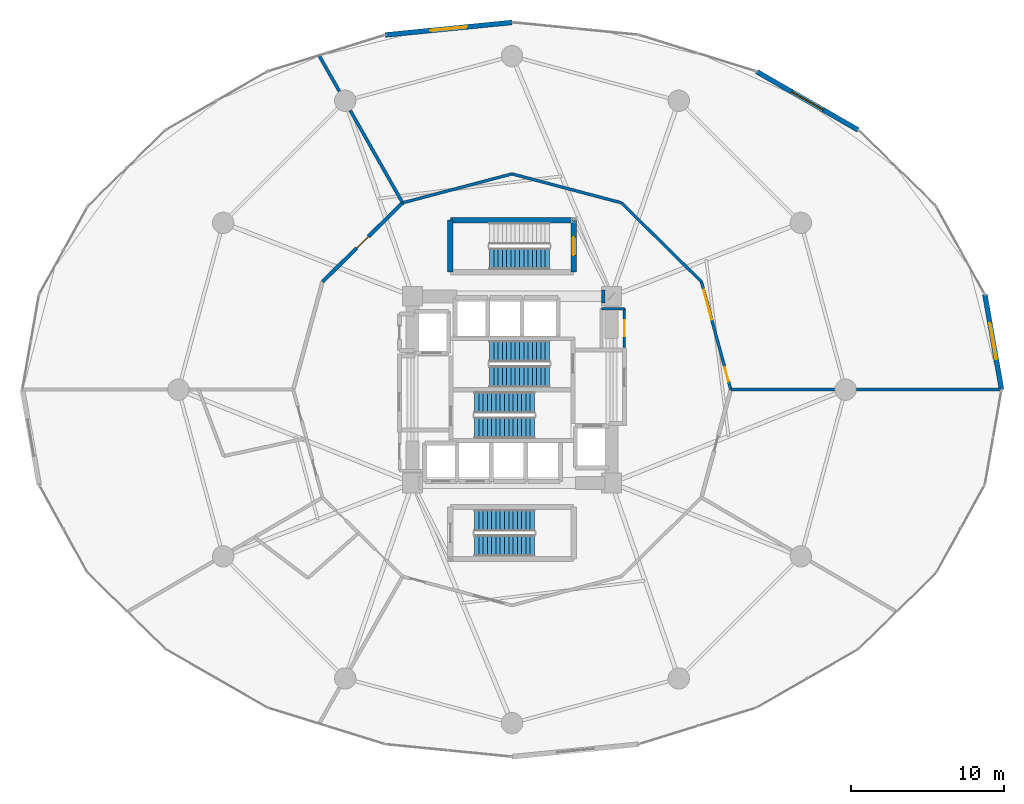
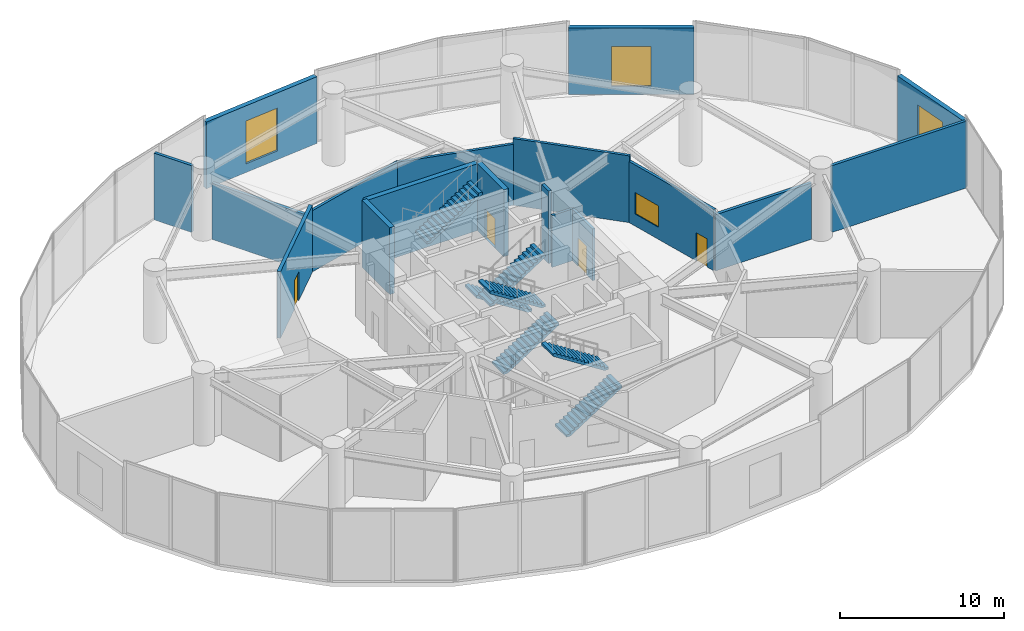
# One storey, part 25 of 29: 18 walls, 7 stair flights, 4 doors, 4 windows, 8 openings, 4 elements without a shape of their own.
"""IFC4 building model written with IfcOpenShell, lengths in metres."""

from ifc_helpers import new_model, si_unit, direction, frame, frame_2d, origin, place, context, subcontext, project, spatial, polyline, rectangle, outline, extrude, material, layer, layer_set, type_object, element, fill, aggregate, save


model = new_model("IFC4")

# Units and contexts
model_context = context("Model", 3, precision=1e-05, world=origin(), true_north=direction((0.0, 1.0)))
body_context = subcontext(model_context, "Body", "Model", "MODEL_VIEW")
ifc_project = project(units=[si_unit("LENGTHUNIT", "METRE"), si_unit("AREAUNIT", "SQUARE_METRE"), si_unit("VOLUMEUNIT", "CUBIC_METRE"), si_unit("PLANEANGLEUNIT", "RADIAN"), si_unit("MASSUNIT", "GRAM", prefix="KILO")], contexts=[model_context])

# Site, building, storey
site_placement = place(None, origin())
site = spatial("IfcSite", under=ifc_project, at=site_placement, CompositionType="ELEMENT")
building_placement = place(site_placement, origin())
building = spatial("IfcBuilding", under=site, at=building_placement, Name="Solvirekh Grand Hotel", CompositionType="ELEMENT")
storey_placement = place(building_placement, frame((0.0, 0.0, 7.199951171875)))
storey = spatial("IfcBuildingStorey", under=building, at=storey_placement, Name="L01", CompositionType="ELEMENT", Elevation=7.199951171875)

# Wall, opening, door
ifc_material_1 = material(Name="Concrete C50/60", Category="concrete")
ifc_layer_1 = layer(ifc_material_1, 0.35009765625)
ifc_layer_set_1 = layer_set([ifc_layer_1], Name="Concrete C50/60")
wall_type_1 = type_object("IfcWallType", Name="CoreDivWall_RC350", PredefinedType="SOLIDWALL", material=ifc_layer_set_1)
wall_1_placement = place(storey_placement, frame((4.02490234375, 7.675048828125, 0.0), z_axis=(0.0, 0.0, 1.0), x_axis=(0.0, 1.0, 0.0)))
wall_1 = element("IfcWall", 1, at=wall_1_placement, inside=storey, type_object=wall_type_1, Name="L01 feature stair ST-4 east landing wall", PredefinedType="SOLIDWALL", context=body_context, shape_type="SweptSolid", body=[
    extrude(rectangle(XDim=3.39990234375, YDim=0.35009765625, at=frame_2d((1.699951171875, 0.0))), origin(), (0.0, 0.0, 1.0), 4.97998046875),
])
opening_1_placement = place(wall_1_placement, frame((1.10009765625, 0.0, 0.0)))
opening_1 = element("IfcOpeningElement", 2, at=opening_1_placement, cuts=wall_1, Name="Opening D05", PredefinedType="OPENING", context=body_context, shape_type="SweptSolid", body=[
    extrude(rectangle(XDim=1.199951171875, YDim=2.199951171875, at=frame_2d((0.60009765625, 1.10009765625))), frame((0.0, 0.18505859375, 0.0), z_axis=(0.0, -1.0, 0.0), x_axis=(1.0, 0.0, 0.0)), (0.0, 0.0, 1.0), 0.3701171875),
])
ifc_material_2 = material(Name="Fire-Rated Steel Door Assembly", Category="steel")
door_type_1 = type_object("IfcDoorType", Name="Door_StairCore_1200X2200", OperationType="NOTDEFINED", PredefinedType="DOOR", material=ifc_material_2)
door_1_placement = place(opening_1_placement, origin())
door_1 = element("IfcDoor", 3, at=door_1_placement, inside=storey, type_object=door_type_1, Name="L01 feature stair ST-4 fire door", OperationType="SINGLE_SWING_RIGHT", OverallHeight=2.199951171875, OverallWidth=1.199951171875, PredefinedType="DOOR", context=body_context, shape_type="SweptSolid", body=[
    extrude(rectangle(XDim=1.199951171875, YDim=2.199951171875, at=frame_2d((0.60009765625, 1.10009765625))), frame((0.0, 0.02490234375, 0.0), z_axis=(0.0, -1.0, 0.0), x_axis=(1.0, 0.0, 0.0)), (0.0, 0.0, 1.0), 0.050048828125),
])
fill(opening_1, door_1)

# Walls
wall_2_placement = place(storey_placement, frame((4.02490234375, 11.074951171875, 0.0), z_axis=(0.0, 0.0, 1.0), x_axis=(-1.0, 0.0, 0.0)))
element("IfcWall", 4, at=wall_2_placement, inside=storey, type_object=wall_type_1, Name="L01 feature stair ST-4 N enclosure wall", PredefinedType="SOLIDWALL", context=body_context, shape_type="SweptSolid", body=[
    extrude(rectangle(XDim=8.0498046875, YDim=0.35009765625, at=frame_2d((4.02490234375, 0.0))), origin(), (0.0, 0.0, 1.0), 4.97998046875),
])
wall_3_placement = place(storey_placement, frame((-4.02490234375, 11.074951171875, 0.0), z_axis=(0.0, 0.0, 1.0), x_axis=(0.0, -1.0, 0.0)))
element("IfcWall", 5, at=wall_3_placement, inside=storey, type_object=wall_type_1, Name="L01 feature stair ST-4 W enclosure wall", PredefinedType="SOLIDWALL", context=body_context, shape_type="SweptSolid", body=[
    extrude(rectangle(XDim=3.39990234375, YDim=0.35009765625, at=frame_2d((1.699951171875, 0.0))), origin(), (0.0, 0.0, 1.0), 4.97998046875),
])
ifc_material_3 = material(Name="Concrete C60/75", Category="concrete")
ifc_layer_2 = layer(ifc_material_3, 0.85009765625)
ifc_layer_set_2 = layer_set([ifc_layer_2], Name="Concrete C60/75")
wall_type_2 = type_object("IfcWallType", Name="CoreWall_RC850", PredefinedType="SHEAR", material=ifc_layer_set_2)
wall_4_placement = place(storey_placement, frame((5.85009765625, 6.10009765625, 0.0), z_axis=(0.0, 0.0, 1.0), x_axis=(1.0, 0.0, 0.0)))
element("IfcWall", 6, at=wall_4_placement, inside=storey, type_object=wall_type_2, Name="L01 core corner shear wall NE-N", PredefinedType="SHEAR", context=body_context, shape_type="SweptSolid", body=[
    extrude(rectangle(XDim=0.224853515625, YDim=0.85009765625, at=frame_2d((0.1123046875, 0.0))), origin(), (0.0, 0.0, 1.0), 5.400146484375),
])

# Wall, opening, window
ifc_material_4 = material(Name="Precast concrete C45/55", Category="concrete")
ifc_layer_3 = layer(ifc_material_4, 0.320068359375)
ifc_layer_set_3 = layer_set([ifc_layer_3], Name="Precast concrete C45/55")
wall_type_3 = type_object("IfcWallType", Name="ExtLobbyWall_RC320", PredefinedType="SOLIDWALL", material=ifc_layer_set_3)
wall_5_placement = place(storey_placement, frame((30.909912109375, 6.2119140625, 0.0), z_axis=(0.0, 0.0, 1.0), x_axis=(0.172842303266, -0.984949510483, 0.0)))
wall_5 = element("IfcWall", 7, at=wall_5_placement, inside=storey, type_object=wall_type_3, Name="L01 exterior structural wall chord 1", PredefinedType="SOLIDWALL", context=body_context, shape_type="SweptSolid", body=[
    extrude(rectangle(XDim=6.306884765625, YDim=0.320068359375, at=frame_2d((3.1533203125, 0.0))), origin(), (0.0, 0.0, 1.0), 4.97998046875),
])
opening_2_placement = place(wall_5_placement, frame((1.89990234375, 0.0, 0.64990234375)))
opening_2 = element("IfcOpeningElement", 8, at=opening_2_placement, cuts=wall_5, Name="Opening W01", PredefinedType="OPENING", context=body_context, shape_type="SweptSolid", body=[
    extrude(rectangle(XDim=2.39990234375, YDim=3.199951171875, at=frame_2d((1.199951171875, 1.60009765625))), frame((0.0, 0.169921875, 0.0), z_axis=(0.0, -1.0, 0.0), x_axis=(1.0, 0.0, 0.0)), (0.0, 0.0, 1.0), 0.340087890625),
])
ifc_material_5 = material(Name="Low-E Tinted Bronze Laminated Glass", Category="aluminium")
window_type_1 = type_object("IfcWindowType", Name="Win_LobbyExt_2400X3200", PartitioningType="SINGLE_PANEL", PredefinedType="WINDOW", material=ifc_material_5)
window_1_placement = place(opening_2_placement, origin())
window_1 = element("IfcWindow", 9, at=window_1_placement, inside=storey, type_object=window_type_1, Name="L01 panoramic bronze-framed window 1", OverallHeight=3.199951171875, OverallWidth=2.39990234375, PartitioningType="SINGLE_PANEL", PredefinedType="WINDOW", context=body_context, shape_type="SweptSolid", body=[
    extrude(rectangle(XDim=2.39990234375, YDim=3.199951171875, at=frame_2d((1.199951171875, 1.60009765625))), frame((0.0, 0.030029296875, 0.0), z_axis=(0.0, -1.0, 0.0), x_axis=(1.0, 0.0, 0.0)), (0.0, 0.0, 1.0), 0.06005859375),
])
fill(opening_2, window_1)

wall_6_placement = place(storey_placement, frame((16.0, 20.784912109375, 0.0), z_axis=(0.0, 0.0, 1.0), x_axis=(0.866710306232, -0.498811833332, 0.0)))
wall_6 = element("IfcWall", 10, at=wall_6_placement, inside=storey, type_object=wall_type_3, Name="L01 exterior structural wall chord 4", PredefinedType="SOLIDWALL", context=body_context, shape_type="SweptSolid", body=[
    extrude(rectangle(XDim=7.64599609375, YDim=0.320068359375, at=frame_2d((3.822998046875, 0.0))), origin(), (0.0, 0.0, 1.0), 4.97998046875),
])
opening_3_placement = place(wall_6_placement, frame((2.623046875, 0.0, 0.60009765625)))
opening_3 = element("IfcOpeningElement", 11, at=opening_3_placement, cuts=wall_6, Name="Opening SK01", PredefinedType="OPENING", context=body_context, shape_type="SweptSolid", body=[
    extrude(rectangle(XDim=2.39990234375, YDim=3.0, at=frame_2d((1.199951171875, 1.5))), frame((0.0, 0.169921875, 0.0), z_axis=(0.0, -1.0, 0.0), x_axis=(1.0, 0.0, 0.0)), (0.0, 0.0, 1.0), 0.340087890625),
])
ifc_material_6 = material(Name="Champagne Low-Iron Crown Laminated Glass", Category="glass")
window_type_2 = type_object("IfcWindowType", Name="Skylight_Podium_2400X3000", PartitioningType="SINGLE_PANEL", PredefinedType="SKYLIGHT", material=ifc_material_6)
window_2_placement = place(opening_3_placement, origin())
window_2 = element("IfcWindow", 12, at=window_2_placement, inside=storey, type_object=window_type_2, Name="L01 high-level clerestory skylight 4", OverallHeight=3.0, OverallWidth=2.39990234375, PartitioningType="SINGLE_PANEL", PredefinedType="SKYLIGHT", context=body_context, shape_type="SweptSolid", body=[
    extrude(rectangle(XDim=2.39990234375, YDim=3.0, at=frame_2d((1.199951171875, 1.5))), frame((0.0, 0.030029296875, 0.0), z_axis=(0.0, -1.0, 0.0), x_axis=(1.0, 0.0, 0.0)), (0.0, 0.0, 1.0), 0.06005859375),
])
fill(opening_3, window_2)

wall_7_placement = place(storey_placement, frame((-8.281982421875, 23.181884765625, 0.0), z_axis=(0.0, 0.0, 1.0), x_axis=(0.995156424186, 0.098304076215, 0.0)))
wall_7 = element("IfcWall", 13, at=wall_7_placement, inside=storey, type_object=wall_type_3, Name="L01 exterior structural wall chord 7", PredefinedType="SOLIDWALL", context=body_context, shape_type="SweptSolid", body=[
    extrude(rectangle(XDim=8.322265625, YDim=0.320068359375, at=frame_2d((4.1611328125, 0.0))), origin(), (0.0, 0.0, 1.0), 4.97998046875),
])
opening_4_placement = place(wall_7_placement, frame((2.9609375, 0.0, 0.64990234375)))
opening_4 = element("IfcOpeningElement", 14, at=opening_4_placement, cuts=wall_7, Name="Opening W01", PredefinedType="OPENING", context=body_context, shape_type="SweptSolid", body=[
    extrude(rectangle(XDim=2.39990234375, YDim=3.199951171875, at=frame_2d((1.199951171875, 1.60009765625))), frame((0.0, 0.169921875, 0.0), z_axis=(0.0, -1.0, 0.0), x_axis=(1.0, 0.0, 0.0)), (0.0, 0.0, 1.0), 0.340087890625),
])
window_3_placement = place(opening_4_placement, origin())
window_3 = element("IfcWindow", 15, at=window_3_placement, inside=storey, type_object=window_type_1, Name="L01 panoramic bronze-framed window 7", OverallHeight=3.199951171875, OverallWidth=2.39990234375, PartitioningType="SINGLE_PANEL", PredefinedType="WINDOW", context=body_context, shape_type="SweptSolid", body=[
    extrude(rectangle(XDim=2.39990234375, YDim=3.199951171875, at=frame_2d((1.199951171875, 1.60009765625))), frame((0.0, 0.030029296875, 0.0), z_axis=(0.0, -1.0, 0.0), x_axis=(1.0, 0.0, 0.0)), (0.0, 0.0, 1.0), 0.06005859375),
])
fill(opening_4, window_3)

# Wall, opening, door
ifc_material_7 = material(Name="Acoustic Gypsum Partition Assembly")
ifc_layer_4 = layer(ifc_material_7, 0.1650390625)
ifc_layer_set_4 = layer_set([ifc_layer_4], Name="Acoustic Gypsum Partition Assembly")
wall_type_4 = type_object("IfcWallType", Name="Part_BOH_165", PredefinedType="PARTITIONING", material=ifc_layer_set_4)
wall_8_placement = place(storey_placement, frame((7.35009765625, 2.75, 0.0), z_axis=(0.0, 0.0, 1.0), x_axis=(0.0, 1.0, 0.0)))
wall_8 = element("IfcWall", 16, at=wall_8_placement, inside=storey, type_object=wall_type_4, Name="L01 L01 Telecom Distribution Room wall 2", PredefinedType="PARTITIONING", context=body_context, shape_type="SweptSolid", body=[
    extrude(rectangle(XDim=2.550048828125, YDim=0.1650390625, at=frame_2d((1.27490234375, 0.0))), origin(), (0.0, 0.0, 1.0), 3.864990234375),
])
opening_5_placement = place(wall_8_placement, frame((0.75, 0.0, 0.0)))
opening_5 = element("IfcOpeningElement", 17, at=opening_5_placement, cuts=wall_8, Name="Opening D12", PredefinedType="OPENING", context=body_context, shape_type="SweptSolid", body=[
    extrude(rectangle(XDim=1.050048828125, YDim=2.14990234375, at=frame_2d((0.52490234375, 1.074951171875))), frame((0.0, 0.092529296875, 0.0), z_axis=(0.0, -1.0, 0.0), x_axis=(1.0, 0.0, 0.0)), (0.0, 0.0, 1.0), 0.18505859375),
])
door_type_2 = type_object("IfcDoorType", Name="Door_PlantBOH_1050X2150", OperationType="NOTDEFINED", PredefinedType="DOOR", material=ifc_material_2)
door_2_placement = place(opening_5_placement, origin())
door_2 = element("IfcDoor", 18, at=door_2_placement, inside=storey, type_object=door_type_2, Name="L01 L01 Telecom Distribution Room door", OperationType="SINGLE_SWING_LEFT", OverallHeight=2.14990234375, OverallWidth=1.050048828125, PredefinedType="DOOR", context=body_context, shape_type="SweptSolid", body=[
    extrude(rectangle(XDim=1.050048828125, YDim=2.14990234375, at=frame_2d((0.52490234375, 1.074951171875))), frame((0.0, 0.02490234375, 0.0), z_axis=(0.0, -1.0, 0.0), x_axis=(1.0, 0.0, 0.0)), (0.0, 0.0, 1.0), 0.050048828125),
])
fill(opening_5, door_2)

# Wall
wall_9_placement = place(storey_placement, frame((7.35009765625, 5.300048828125, 0.0), z_axis=(0.0, 0.0, 1.0), x_axis=(-1.0, 0.0, 0.0)))
element("IfcWall", 19, at=wall_9_placement, inside=storey, type_object=wall_type_4, Name="L01 L01 Telecom Distribution Room wall 3", PredefinedType="PARTITIONING", context=body_context, shape_type="SweptSolid", body=[
    extrude(rectangle(XDim=1.5, YDim=0.1650390625, at=frame_2d((0.75, 0.0))), origin(), (0.0, 0.0, 1.0), 3.864990234375),
])

# Wall, opening, door
ifc_layer_5 = layer(ifc_material_7, 0.239990234375)
ifc_layer_set_5 = layer_set([ifc_layer_5], Name="Acoustic Gypsum Partition Assembly")
wall_type_5 = type_object("IfcWallType", Name="Part_Corridor_240", PredefinedType="PARTITIONING", material=ifc_layer_set_5)
wall_10_placement = place(storey_placement, frame((-7.14990234375, 12.2109375, 0.0), z_axis=(0.0, 0.0, 1.0), x_axis=(-0.712071304345, -0.702107155303, 0.0)))
wall_10 = element("IfcWall", 20, at=wall_10_placement, inside=storey, type_object=wall_type_5, Name="L01 Main Show Kitchen & Pastry Pantry corridor wall", PredefinedType="PARTITIONING", context=body_context, shape_type="SweptSolid", body=[
    extrude(rectangle(XDim=7.3505859375, YDim=0.239990234375, at=frame_2d((3.67529296875, 0.0))), origin(), (0.0, 0.0, 1.0), 4.97998046875),
])
opening_6_placement = place(wall_10_placement, frame((3.14990234375, 0.0, 0.0)))
opening_6 = element("IfcOpeningElement", 21, at=opening_6_placement, cuts=wall_10, Name="Opening D12", PredefinedType="OPENING", context=body_context, shape_type="SweptSolid", body=[
    extrude(rectangle(XDim=1.050048828125, YDim=2.14990234375, at=frame_2d((0.52490234375, 1.074951171875))), frame((0.0, 0.1298828125, 0.0), z_axis=(0.0, -1.0, 0.0), x_axis=(1.0, 0.0, 0.0)), (0.0, 0.0, 1.0), 0.260009765625),
])
door_3_placement = place(opening_6_placement, origin())
door_3 = element("IfcDoor", 22, at=door_3_placement, inside=storey, type_object=door_type_2, Name="L01 Main Show Kitchen & Pastry Pantry entrance door", OperationType="SINGLE_SWING_LEFT", OverallHeight=2.14990234375, OverallWidth=1.050048828125, PredefinedType="DOOR", context=body_context, shape_type="SweptSolid", body=[
    extrude(rectangle(XDim=1.050048828125, YDim=2.14990234375, at=frame_2d((0.52490234375, 1.074951171875))), frame((0.0, 0.02490234375, 0.0), z_axis=(0.0, -1.0, 0.0), x_axis=(1.0, 0.0, 0.0)), (0.0, 0.0, 1.0), 0.050048828125),
])
fill(opening_6, door_3)

# Wall, openings, door, window
ifc_layer_6 = layer(ifc_material_7, 0.18994140625)
ifc_layer_set_6 = layer_set([ifc_layer_6], Name="Acoustic Gypsum Partition Assembly")
wall_type_6 = type_object("IfcWallType", Name="Part_GuestDemise_190", PredefinedType="PARTITIONING", material=ifc_layer_set_6)
wall_11_placement = place(storey_placement, frame((14.300048828125, 0.0, 0.0), z_axis=(0.0, 0.0, 1.0), x_axis=(-0.262260528785, 0.964997106235, 0.0)))
wall_11 = element("IfcWall", 23, at=wall_11_placement, inside=storey, type_object=wall_type_6, Name="L01 All-Day Brasserie Restaurant corridor wall", PredefinedType="PARTITIONING", context=body_context, shape_type="SweptSolid", body=[
    extrude(rectangle(XDim=7.3056640625, YDim=0.18994140625, at=frame_2d((3.65283203125, 0.0))), origin(), (0.0, 0.0, 1.0), 4.55810546875),
])
opening_7_placement = place(wall_11_placement, frame((0.550048828125, 0.0, 0.0)))
opening_7 = element("IfcOpeningElement", 24, at=opening_7_placement, cuts=wall_11, Name="Opening D10", PredefinedType="OPENING", context=body_context, shape_type="SweptSolid", body=[
    extrude(rectangle(XDim=0.949951171875, YDim=2.10009765625, at=frame_2d((0.47509765625, 1.050048828125))), frame((0.0, 0.10498046875, 0.0), z_axis=(0.0, -1.0, 0.0), x_axis=(1.0, 0.0, 0.0)), (0.0, 0.0, 1.0), 0.2099609375),
])
opening_8_placement = place(wall_11_placement, frame((4.756103515625, 0.0, 0.89990234375)))
opening_8 = element("IfcOpeningElement", 25, at=opening_8_placement, cuts=wall_11, Name="Opening W03", PredefinedType="OPENING", context=body_context, shape_type="SweptSolid", body=[
    extrude(rectangle(XDim=2.0, YDim=1.60009765625, at=frame_2d((1.0, 0.800048828125))), frame((0.0, 0.10498046875, 0.0), z_axis=(0.0, -1.0, 0.0), x_axis=(1.0, 0.0, 0.0)), (0.0, 0.0, 1.0), 0.2099609375),
])
ifc_material_8 = material(Name="Anodized Bronze Aluminium 6063-T6", Category="aluminium")
door_type_3 = type_object("IfcDoorType", Name="Door_RoomInt_950X2100", OperationType="NOTDEFINED", PredefinedType="DOOR", material=ifc_material_8)
door_4_placement = place(opening_7_placement, origin())
door_4 = element("IfcDoor", 26, at=door_4_placement, inside=storey, type_object=door_type_3, Name="L01 All-Day Brasserie Restaurant entrance door", OperationType="SINGLE_SWING_RIGHT", OverallHeight=2.10009765625, OverallWidth=0.949951171875, PredefinedType="DOOR", context=body_context, shape_type="SweptSolid", body=[
    extrude(rectangle(XDim=0.949951171875, YDim=2.10009765625, at=frame_2d((0.47509765625, 1.050048828125))), frame((0.0, 0.02490234375, 0.0), z_axis=(0.0, -1.0, 0.0), x_axis=(1.0, 0.0, 0.0)), (0.0, 0.0, 1.0), 0.050048828125),
])
fill(opening_7, door_4)
ifc_material_9 = material(Name="Fire-Rated Ceramic Glazing", Category="glass")
window_type_3 = type_object("IfcWindowType", Name="Win_FoyerInt_2000X1600", PartitioningType="SINGLE_PANEL", PredefinedType="WINDOW", material=ifc_material_9)
window_4_placement = place(opening_8_placement, origin())
window_4 = element("IfcWindow", 27, at=window_4_placement, inside=storey, type_object=window_type_3, Name="L01 All-Day Brasserie Restaurant interior glazed screen", OverallHeight=1.60009765625, OverallWidth=2.0, PartitioningType="SINGLE_PANEL", PredefinedType="WINDOW", context=body_context, shape_type="SweptSolid", body=[
    extrude(rectangle(XDim=2.0, YDim=1.60009765625, at=frame_2d((1.0, 0.800048828125))), frame((0.0, 0.030029296875, 0.0), z_axis=(0.0, -1.0, 0.0), x_axis=(1.0, 0.0, 0.0)), (0.0, 0.0, 1.0), 0.06005859375),
])
fill(opening_8, window_4)

# Walls
wall_12_placement = place(storey_placement, frame((12.384033203125, 7.050048828125, 0.0), z_axis=(0.0, 0.0, 1.0), x_axis=(-0.712071304345, 0.702107155303, 0.0)))
element("IfcWall", 28, at=wall_12_placement, inside=storey, type_object=wall_type_6, Name="L01 All-Day Brasserie Restaurant corridor wall 2", PredefinedType="PARTITIONING", context=body_context, shape_type="SweptSolid", body=[
    extrude(rectangle(XDim=7.3505859375, YDim=0.18994140625, at=frame_2d((3.67529296875, 0.0))), origin(), (0.0, 0.0, 1.0), 4.97998046875),
])
for number, where, z_axis, x_axis, name in (
    (29, (7.14990234375, 12.2109375, 0.0), (0.0, 0.0, 1.0), (-0.966820901533, 0.255455170937, 0.0), "L01 All-Day Brasserie Restaurant corridor wall 3"),
    (30, (0.0, 14.10009765625, 0.0), (0.0, 0.0, 1.0), (-0.966820901533, -0.255455170937, 0.0), "L01 All-Day Brasserie Restaurant corridor wall 4"),
):
    element("IfcWall", number, at=place(storey_placement, frame(where, z_axis=z_axis, x_axis=x_axis)), inside=storey, type_object=wall_type_6, Name=name, PredefinedType="PARTITIONING", context=body_context, shape_type="SweptSolid", body=[
        extrude(rectangle(XDim=7.395263671875, YDim=0.18994140625, at=frame_2d((3.69775390625, 0.0))), origin(), (0.0, 0.0, 1.0), 4.55810546875),
    ])
ifc_layer_7 = layer(ifc_material_7, 0.2099609375)
ifc_layer_set_7 = layer_set([ifc_layer_7], Name="Acoustic Gypsum Partition Assembly")
wall_type_7 = type_object("IfcWallType", Name="Part_SuiteDemise_210", PredefinedType="PARTITIONING", material=ifc_layer_set_7)
wall_13_placement = place(storey_placement, frame((14.300048828125, 0.0, 0.0), z_axis=(0.0, 0.0, 1.0), x_axis=(1.0, 0.0, 0.0)))
element("IfcWall", 31, at=wall_13_placement, inside=storey, type_object=wall_type_7, Name="L01 radial demising wall 1 (A)", PredefinedType="PARTITIONING", context=body_context, shape_type="SweptSolid", body=[
    extrude(rectangle(XDim=6.780029296875, YDim=0.2099609375, at=frame_2d((3.39013671875, 0.0))), origin(), (0.0, 0.0, 1.0), 4.191162109375),
])
wall_14_placement = place(storey_placement, frame((22.52001953125, 0.0, 0.0), z_axis=(0.0, 0.0, 1.0), x_axis=(1.0, 0.0, 0.0)))
element("IfcWall", 32, at=wall_14_placement, inside=storey, type_object=wall_type_7, Name="L01 radial demising wall 1 (B)", PredefinedType="PARTITIONING", context=body_context, shape_type="SweptSolid", body=[
    extrude(rectangle(XDim=9.43994140625, YDim=0.2099609375, at=frame_2d((4.719970703125, 0.0))), origin(), (0.0, 0.0, 1.0), 4.97998046875),
])
wall_15_placement = place(storey_placement, frame((-7.14990234375, 12.2109375, 0.0), z_axis=(0.0, 0.0, 1.0), x_axis=(-0.493203653226, 0.869913878752, 0.0)))
element("IfcWall", 33, at=wall_15_placement, inside=storey, type_object=wall_type_7, Name="L01 radial demising wall 5 (A)", PredefinedType="PARTITIONING", context=body_context, shape_type="SweptSolid", body=[
    extrude(rectangle(XDim=6.9306640625, YDim=0.2099609375, at=frame_2d((3.46533203125, 0.0))), origin(), (0.0, 0.0, 1.0), 4.191162109375),
])
wall_16_placement = place(storey_placement, frame((-11.277099609375, 19.491943359375, 0.0), z_axis=(0.0, 0.0, 1.0), x_axis=(-0.493197981082, 0.869917094588, 0.0)))
element("IfcWall", 34, at=wall_16_placement, inside=storey, type_object=wall_type_7, Name="L01 radial demising wall 5 (B)", PredefinedType="PARTITIONING", context=body_context, shape_type="SweptSolid", body=[
    extrude(rectangle(XDim=2.65771484375, YDim=0.2099609375, at=frame_2d((1.328857421875, 0.0))), origin(), (0.0, 0.0, 1.0), 4.97998046875),
])

# Stair, stair flights
ifc_material_10 = material(Name="Concrete C40/50", Category="concrete")
stair_type_1 = type_object("IfcStairType", Name="Stair_Core_1450", PredefinedType="HALF_TURN_STAIR", material=ifc_material_10)
stair_1_placement = place(storey_placement, origin())
stair_1 = element("IfcStair", 35, at=stair_1_placement, inside=storey, type_object=stair_type_1, Name="L01 Enclosed exit stair ST-1", PredefinedType="HALF_TURN_STAIR")
stair_flight_type_1 = type_object("IfcStairFlightType", Name="Flight_Core_1450", PredefinedType="STRAIGHT", material=ifc_material_10)
stair_flight_1_placement = place(storey_placement, frame((-2.449951171875, -2.5, 0.0), z_axis=(0.0, 0.0, 1.0), x_axis=(1.0, 0.0, 0.0)))
stair_flight_1 = element("IfcStairFlight", 36, at=stair_flight_1_placement, type_object=stair_flight_type_1, Name="ST-1 flight 1", NumberOfRisers=15, NumberOfTreads=14, PredefinedType="STRAIGHT", RiserHeight=0.18, TreadLength=0.28, context=body_context, shape_type="SweptSolid", body=[
    extrude(outline(polyline([(0.0, 0.0), (0.0, 0.179931640625), (0.280029296875, 0.179931640625), (0.280029296875, 0.360107421875), (0.56005859375, 0.360107421875), (0.56005859375, 0.5400390625), (0.840087890625, 0.5400390625), (0.840087890625, 0.719970703125), (1.1201171875, 0.719970703125), (1.1201171875, 0.89990234375), (1.39990234375, 0.89990234375), (1.39990234375, 1.080078125), (1.679931640625, 1.080078125), (1.679931640625, 1.260009765625), (1.9599609375, 1.260009765625), (1.9599609375, 1.43994140625), (2.239990234375, 1.43994140625), (2.239990234375, 1.6201171875), (2.52001953125, 1.6201171875), (2.52001953125, 1.800048828125), (2.800048828125, 1.800048828125), (2.800048828125, 1.97998046875), (3.080078125, 1.97998046875), (3.080078125, 2.159912109375), (3.360107421875, 2.159912109375), (3.360107421875, 2.340087890625), (3.639892578125, 2.340087890625), (3.639892578125, 2.52001953125), (3.919921875, 2.52001953125), (3.919921875, 2.699951171875), (3.919921875, 2.341796875), (0.277099609375, 0.0), (0.0, 0.0)])), frame((0.0, 0.699951171875, 0.0), z_axis=(0.0, -1.0, 0.0), x_axis=(1.0, 0.0, 0.0)), (0.0, 0.0, 1.0), 1.39990234375),
])
stair_flight_2_placement = place(storey_placement, frame((1.469970703125, -0.85009765625, 2.699951171875), z_axis=(0.0, 0.0, 1.0), x_axis=(-1.0, 0.0, 0.0)))
stair_flight_2 = element("IfcStairFlight", 37, at=stair_flight_2_placement, type_object=stair_flight_type_1, Name="ST-1 flight 2", NumberOfRisers=15, NumberOfTreads=14, PredefinedType="STRAIGHT", RiserHeight=0.18, TreadLength=0.28, context=body_context, shape_type="SweptSolid", body=[
    extrude(outline(polyline([(0.0, 0.0), (0.0, 0.179931640625), (0.280029296875, 0.179931640625), (0.280029296875, 0.360107421875), (0.56005859375, 0.360107421875), (0.56005859375, 0.5400390625), (0.840087890625, 0.5400390625), (0.840087890625, 0.719970703125), (1.1201171875, 0.719970703125), (1.1201171875, 0.89990234375), (1.39990234375, 0.89990234375), (1.39990234375, 1.080078125), (1.679931640625, 1.080078125), (1.679931640625, 1.260009765625), (1.9599609375, 1.260009765625), (1.9599609375, 1.43994140625), (2.239990234375, 1.43994140625), (2.239990234375, 1.6201171875), (2.52001953125, 1.6201171875), (2.52001953125, 1.800048828125), (2.800048828125, 1.800048828125), (2.800048828125, 1.97998046875), (3.080078125, 1.97998046875), (3.080078125, 2.159912109375), (3.360107421875, 2.159912109375), (3.360107421875, 2.340087890625), (3.639892578125, 2.340087890625), (3.639892578125, 2.52001953125), (3.919921875, 2.52001953125), (3.919921875, 2.699951171875), (3.919921875, 2.341796875), (0.277099609375, 0.0), (0.0, 0.0)])), frame((0.0, 0.699951171875, 0.0), z_axis=(0.0, -1.0, 0.0), x_axis=(1.0, 0.0, 0.0)), (0.0, 0.0, 1.0), 1.39990234375),
])
aggregate(stair_1, [stair_flight_1, stair_flight_2])

stair_2_placement = place(storey_placement, origin())
stair_2 = element("IfcStair", 38, at=stair_2_placement, inside=storey, type_object=stair_type_1, Name="L01 Enclosed exit stair ST-2", PredefinedType="HALF_TURN_STAIR")
stair_flight_3_placement = place(storey_placement, frame((2.449951171875, 2.5, 0.0), z_axis=(0.0, 0.0, 1.0), x_axis=(-1.0, 0.0, 0.0)))
stair_flight_3 = element("IfcStairFlight", 39, at=stair_flight_3_placement, type_object=stair_flight_type_1, Name="ST-2 flight 1", NumberOfRisers=15, NumberOfTreads=14, PredefinedType="STRAIGHT", RiserHeight=0.18, TreadLength=0.28, context=body_context, shape_type="SweptSolid", body=[
    extrude(outline(polyline([(0.0, 0.0), (0.0, 0.179931640625), (0.280029296875, 0.179931640625), (0.280029296875, 0.360107421875), (0.56005859375, 0.360107421875), (0.56005859375, 0.5400390625), (0.840087890625, 0.5400390625), (0.840087890625, 0.719970703125), (1.1201171875, 0.719970703125), (1.1201171875, 0.89990234375), (1.39990234375, 0.89990234375), (1.39990234375, 1.080078125), (1.679931640625, 1.080078125), (1.679931640625, 1.260009765625), (1.9599609375, 1.260009765625), (1.9599609375, 1.43994140625), (2.239990234375, 1.43994140625), (2.239990234375, 1.6201171875), (2.52001953125, 1.6201171875), (2.52001953125, 1.800048828125), (2.800048828125, 1.800048828125), (2.800048828125, 1.97998046875), (3.080078125, 1.97998046875), (3.080078125, 2.159912109375), (3.360107421875, 2.159912109375), (3.360107421875, 2.340087890625), (3.639892578125, 2.340087890625), (3.639892578125, 2.52001953125), (3.919921875, 2.52001953125), (3.919921875, 2.699951171875), (3.919921875, 2.341796875), (0.277099609375, 0.0), (0.0, 0.0)])), frame((0.0, 0.699951171875, 0.0), z_axis=(0.0, -1.0, 0.0), x_axis=(1.0, 0.0, 0.0)), (0.0, 0.0, 1.0), 1.39990234375),
])
stair_flight_4_placement = place(storey_placement, frame((-1.469970703125, 0.85009765625, 2.699951171875), z_axis=(0.0, 0.0, 1.0), x_axis=(1.0, 0.0, 0.0)))
stair_flight_4 = element("IfcStairFlight", 40, at=stair_flight_4_placement, type_object=stair_flight_type_1, Name="ST-2 flight 2", NumberOfRisers=15, NumberOfTreads=14, PredefinedType="STRAIGHT", RiserHeight=0.18, TreadLength=0.28, context=body_context, shape_type="SweptSolid", body=[
    extrude(outline(polyline([(0.0, 0.0), (0.0, 0.179931640625), (0.280029296875, 0.179931640625), (0.280029296875, 0.360107421875), (0.56005859375, 0.360107421875), (0.56005859375, 0.5400390625), (0.840087890625, 0.5400390625), (0.840087890625, 0.719970703125), (1.1201171875, 0.719970703125), (1.1201171875, 0.89990234375), (1.39990234375, 0.89990234375), (1.39990234375, 1.080078125), (1.679931640625, 1.080078125), (1.679931640625, 1.260009765625), (1.9599609375, 1.260009765625), (1.9599609375, 1.43994140625), (2.239990234375, 1.43994140625), (2.239990234375, 1.6201171875), (2.52001953125, 1.6201171875), (2.52001953125, 1.800048828125), (2.800048828125, 1.800048828125), (2.800048828125, 1.97998046875), (3.080078125, 1.97998046875), (3.080078125, 2.159912109375), (3.360107421875, 2.159912109375), (3.360107421875, 2.340087890625), (3.639892578125, 2.340087890625), (3.639892578125, 2.52001953125), (3.919921875, 2.52001953125), (3.919921875, 2.699951171875), (3.919921875, 2.341796875), (0.277099609375, 0.0), (0.0, 0.0)])), frame((0.0, 0.699951171875, 0.0), z_axis=(0.0, -1.0, 0.0), x_axis=(1.0, 0.0, 0.0)), (0.0, 0.0, 1.0), 1.39990234375),
])
aggregate(stair_2, [stair_flight_3, stair_flight_4])

# Stair, stair flight
ifc_material_11 = material(Name="Steel S355", Category="steel")
stair_type_2 = type_object("IfcStairType", Name="Stair_Grand_2000", PredefinedType="STRAIGHT_RUN_STAIR", material=ifc_material_11)
stair_3_placement = place(storey_placement, origin())
stair_3 = element("IfcStair", 41, at=stair_3_placement, inside=storey, type_object=stair_type_2, Name="L01 Enclosed exit stair ST-4", PredefinedType="STRAIGHT_RUN_STAIR")
stair_flight_type_2 = type_object("IfcStairFlightType", Name="Flight_Grand_2000", PredefinedType="STRAIGHT", material=ifc_material_11)
stair_flight_5_placement = place(storey_placement, frame((-1.469970703125, 8.550048828125, 2.699951171875), z_axis=(0.0, 0.0, 1.0), x_axis=(1.0, 0.0, 0.0)))
stair_flight_5 = element("IfcStairFlight", 42, at=stair_flight_5_placement, type_object=stair_flight_type_2, Name="ST-4 flight 2", NumberOfRisers=15, NumberOfTreads=14, PredefinedType="STRAIGHT", RiserHeight=0.18, TreadLength=0.28, context=body_context, shape_type="SweptSolid", body=[
    extrude(outline(polyline([(0.0, 0.0), (0.0, 0.179931640625), (0.280029296875, 0.179931640625), (0.280029296875, 0.360107421875), (0.56005859375, 0.360107421875), (0.56005859375, 0.5400390625), (0.840087890625, 0.5400390625), (0.840087890625, 0.719970703125), (1.1201171875, 0.719970703125), (1.1201171875, 0.89990234375), (1.39990234375, 0.89990234375), (1.39990234375, 1.080078125), (1.679931640625, 1.080078125), (1.679931640625, 1.260009765625), (1.9599609375, 1.260009765625), (1.9599609375, 1.43994140625), (2.239990234375, 1.43994140625), (2.239990234375, 1.6201171875), (2.52001953125, 1.6201171875), (2.52001953125, 1.800048828125), (2.800048828125, 1.800048828125), (2.800048828125, 1.97998046875), (3.080078125, 1.97998046875), (3.080078125, 2.159912109375), (3.360107421875, 2.159912109375), (3.360107421875, 2.340087890625), (3.639892578125, 2.340087890625), (3.639892578125, 2.52001953125), (3.919921875, 2.52001953125), (3.919921875, 2.699951171875), (3.919921875, 2.341796875), (0.277099609375, 0.0), (0.0, 0.0)])), frame((0.0, 0.699951171875, 0.0), z_axis=(0.0, -1.0, 0.0), x_axis=(1.0, 0.0, 0.0)), (0.0, 0.0, 1.0), 1.39990234375),
])
aggregate(stair_3, [stair_flight_5])

# Stair, stair flights
stair_type_3 = type_object("IfcStairType", Name="Stair_Pod_1600", PredefinedType="HALF_TURN_STAIR", material=ifc_material_10)
stair_4_placement = place(storey_placement, origin())
stair_4 = element("IfcStair", 43, at=stair_4_placement, inside=storey, type_object=stair_type_3, Name="L01 Enclosed exit stair ST-3", PredefinedType="HALF_TURN_STAIR")
stair_flight_type_3 = type_object("IfcStairFlightType", Name="Flight_Pod_1600", PredefinedType="STRAIGHT", material=ifc_material_10)
stair_flight_6_placement = place(storey_placement, frame((-2.449951171875, -10.199951171875, 0.0), z_axis=(0.0, 0.0, 1.0), x_axis=(1.0, 0.0, 0.0)))
stair_flight_6 = element("IfcStairFlight", 44, at=stair_flight_6_placement, type_object=stair_flight_type_3, Name="ST-3 flight 1", NumberOfRisers=15, NumberOfTreads=14, PredefinedType="STRAIGHT", RiserHeight=0.18, TreadLength=0.28, context=body_context, shape_type="SweptSolid", body=[
    extrude(outline(polyline([(0.0, 0.0), (0.0, 0.179931640625), (0.280029296875, 0.179931640625), (0.280029296875, 0.360107421875), (0.56005859375, 0.360107421875), (0.56005859375, 0.5400390625), (0.840087890625, 0.5400390625), (0.840087890625, 0.719970703125), (1.1201171875, 0.719970703125), (1.1201171875, 0.89990234375), (1.39990234375, 0.89990234375), (1.39990234375, 1.080078125), (1.679931640625, 1.080078125), (1.679931640625, 1.260009765625), (1.9599609375, 1.260009765625), (1.9599609375, 1.43994140625), (2.239990234375, 1.43994140625), (2.239990234375, 1.6201171875), (2.52001953125, 1.6201171875), (2.52001953125, 1.800048828125), (2.800048828125, 1.800048828125), (2.800048828125, 1.97998046875), (3.080078125, 1.97998046875), (3.080078125, 2.159912109375), (3.360107421875, 2.159912109375), (3.360107421875, 2.340087890625), (3.639892578125, 2.340087890625), (3.639892578125, 2.52001953125), (3.919921875, 2.52001953125), (3.919921875, 2.699951171875), (3.919921875, 2.341796875), (0.277099609375, 0.0), (0.0, 0.0)])), frame((0.0, 0.699951171875, 0.0), z_axis=(0.0, -1.0, 0.0), x_axis=(1.0, 0.0, 0.0)), (0.0, 0.0, 1.0), 1.39990234375),
])
stair_flight_7_placement = place(storey_placement, frame((1.469970703125, -8.550048828125, 2.699951171875), z_axis=(0.0, 0.0, 1.0), x_axis=(-1.0, 0.0, 0.0)))
stair_flight_7 = element("IfcStairFlight", 45, at=stair_flight_7_placement, type_object=stair_flight_type_3, Name="ST-3 flight 2", NumberOfRisers=15, NumberOfTreads=14, PredefinedType="STRAIGHT", RiserHeight=0.18, TreadLength=0.28, context=body_context, shape_type="SweptSolid", body=[
    extrude(outline(polyline([(0.0, 0.0), (0.0, 0.179931640625), (0.280029296875, 0.179931640625), (0.280029296875, 0.360107421875), (0.56005859375, 0.360107421875), (0.56005859375, 0.5400390625), (0.840087890625, 0.5400390625), (0.840087890625, 0.719970703125), (1.1201171875, 0.719970703125), (1.1201171875, 0.89990234375), (1.39990234375, 0.89990234375), (1.39990234375, 1.080078125), (1.679931640625, 1.080078125), (1.679931640625, 1.260009765625), (1.9599609375, 1.260009765625), (1.9599609375, 1.43994140625), (2.239990234375, 1.43994140625), (2.239990234375, 1.6201171875), (2.52001953125, 1.6201171875), (2.52001953125, 1.800048828125), (2.800048828125, 1.800048828125), (2.800048828125, 1.97998046875), (3.080078125, 1.97998046875), (3.080078125, 2.159912109375), (3.360107421875, 2.159912109375), (3.360107421875, 2.340087890625), (3.639892578125, 2.340087890625), (3.639892578125, 2.52001953125), (3.919921875, 2.52001953125), (3.919921875, 2.699951171875), (3.919921875, 2.341796875), (0.277099609375, 0.0), (0.0, 0.0)])), frame((0.0, 0.699951171875, 0.0), z_axis=(0.0, -1.0, 0.0), x_axis=(1.0, 0.0, 0.0)), (0.0, 0.0, 1.0), 1.39990234375),
])
aggregate(stair_4, [stair_flight_6, stair_flight_7])

save(model, "model.ifc")
